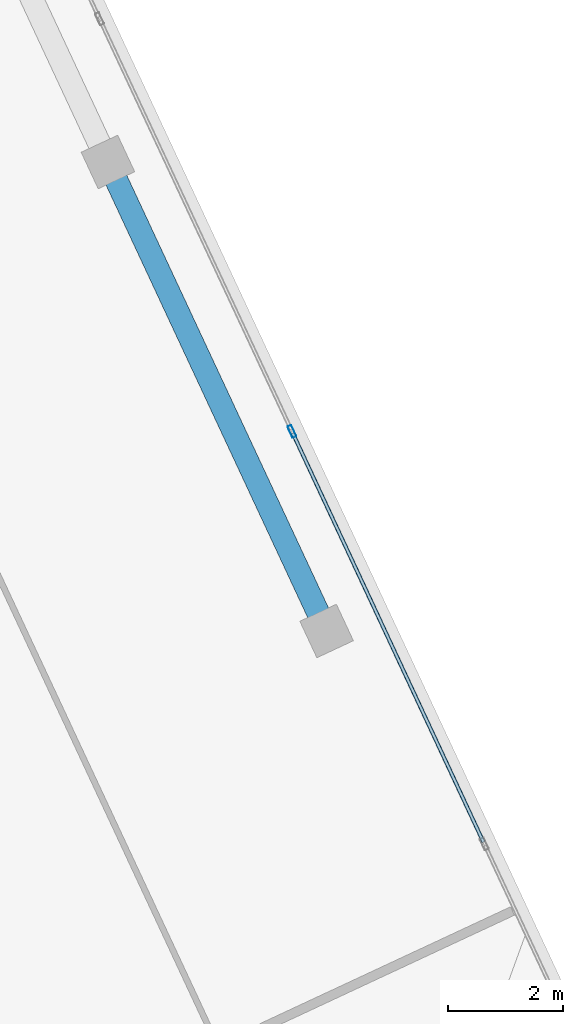
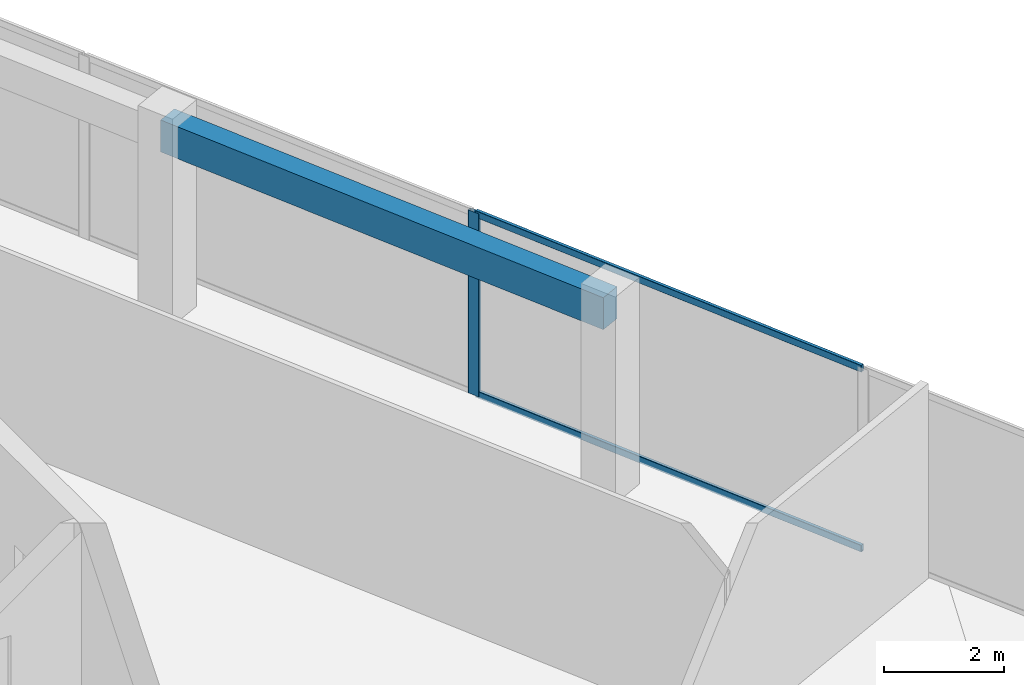
# One storey, part 8 of 17: 3 members, 1 beam, 1 element without a shape of its own.
"""IFC4 building model written with IfcOpenShell, lengths in metres."""

from ifc_helpers import new_model, si_unit, direction, frame, origin, origin_2d, place, context, subcontext, project, spatial, rectangle, hollow_rectangle, extrude, source, transform, mapped, material, material_profile, profile_set, type_object, element, aggregate, save


model = new_model("IFC4")

# Units and contexts
model_context = context("Model", 3, precision=1e-05, world=origin(), true_north=direction((0.0, 1.0)))
body_context = subcontext(model_context, "Body", "Model", "MODEL_VIEW")
ifc_project = project(units=[si_unit("LENGTHUNIT", "METRE"), si_unit("AREAUNIT", "SQUARE_METRE"), si_unit("VOLUMEUNIT", "CUBIC_METRE"), si_unit("PLANEANGLEUNIT", "RADIAN"), si_unit("MASSUNIT", "GRAM", prefix="KILO")], contexts=[model_context])

# Site, building, storey
site_placement = place(None, origin())
site = spatial("IfcSite", under=ifc_project, at=site_placement, CompositionType="ELEMENT")
building_placement = place(site_placement, origin())
building = spatial("IfcBuilding", under=site, at=building_placement, Name="Torre Montelarca", CompositionType="ELEMENT")
storey_placement = place(building_placement, frame((0.0, 0.0, 340.800048828125)))
storey = spatial("IfcBuildingStorey", under=building, at=storey_placement, Name="L77", CompositionType="ELEMENT", Elevation=340.800048828125)

# Beam
ifc_material_1 = material(Name="Concrete C40/50", Category="concrete")
ifc_material_profile_1 = material_profile(ifc_material_1, rectangle(XDim=0.39990234375, YDim=0.64990234375, at=origin_2d()), Name="RCB400X650", Category="concrete")
ifc_profile_set_1 = profile_set([ifc_material_profile_1], Name="Concrete C40/50")
beam_type = type_object("IfcBeamType", Name="BM-SP-RC650-EXT", PredefinedType="SPANDREL", material=ifc_profile_set_1)
shared_shape_1 = source(origin(), body_context, "Body", "SweptSolid", [
    extrude(rectangle(XDim=0.39990234375, YDim=0.64990234375, at=origin_2d()), origin(), (0.0, 0.0, 1.0), 9.0),
])
beam_placement = place(storey_placement, frame((33.75146484375, 41.57470703125, 3.635009765625), z_axis=(0.422610711302, -0.906311307826, 0.0), x_axis=(0.906311307826, 0.422610711302, 0.0)))
element("IfcBeam", 1, at=beam_placement, inside=storey, type_object=beam_type, Name="L77 Grid Girder X 18.0-27.0 at Y=47.1", PredefinedType="SPANDREL", context=body_context, shape_type="MappedRepresentation", body=[
    mapped(shared_shape_1, transform((0.0, 0.0, 0.0), scale=1.0)),
])

# Curtain wall, members
ifc_material_2 = material(Name="Insulated low-E laminated glass", Category="glass")
curtain_wall_type = type_object("IfcCurtainWallType", Name="CW-SYS-Z4", PredefinedType="USERDEFINED", material=ifc_material_2)
curtain_wall_placement = place(storey_placement, origin())
curtain_wall = element("IfcCurtainWall", 2, at=curtain_wall_placement, inside=storey, type_object=curtain_wall_type, Name="L77 Curtain Wall Run CW-T3-L77-E08-B1", ObjectType="UNITISED GLAZING", PredefinedType="USERDEFINED")
ifc_material_3 = material(Name="Anodised aluminium AA 6063-T6", Category="aluminium")
ifc_material_profile_2 = material_profile(ifc_material_3, hollow_rectangle(XDim=0.074951171875, YDim=0.219970703125, WallThickness=0.0048828125, InnerFilletRadius=0.0048828125, OuterFilletRadius=0.010009765625, at=origin_2d()), Name="ALU75X220X5", Category="aluminium")
ifc_profile_set_2 = profile_set([ifc_material_profile_2], Name="Anodised aluminium AA 6063-T6")
member_type_1 = type_object("IfcMemberType", Name="CWM-ALU220", PredefinedType="MULLION", material=ifc_profile_set_2)
shared_shape_2 = source(origin(), body_context, "Body", "SweptSolid", [
    extrude(hollow_rectangle(XDim=0.074951171875, YDim=0.219970703125, WallThickness=0.0048828125, InnerFilletRadius=0.0048828125, OuterFilletRadius=0.010009765625, at=origin_2d()), origin(), (0.0, 0.0, 1.0), 3.719970703125),
])
member_1_placement = place(storey_placement, frame((36.951904296875, 36.88818359375, 0.0), z_axis=(0.0, 0.0, 1.0), x_axis=(-0.906309431792, -0.422614734533, 0.0)))
member_1 = element("IfcMember", 3, at=member_1_placement, type_object=member_type_1, Name="CW mullion 3", PredefinedType="MULLION", context=body_context, shape_type="MappedRepresentation", body=[
    mapped(shared_shape_2, transform((0.0, 0.0, 0.0), scale=1.0)),
])
ifc_material_profile_3 = material_profile(ifc_material_3, hollow_rectangle(XDim=0.06494140625, YDim=0.139892578125, WallThickness=0.00390625, InnerFilletRadius=0.00390625, OuterFilletRadius=0.008056640625, at=origin_2d()), Name="ALU65X140X4", Category="aluminium")
ifc_profile_set_3 = profile_set([ifc_material_profile_3], Name="Anodised aluminium AA 6063-T6")
member_type_2 = type_object("IfcMemberType", Name="CWT-ALU140", PredefinedType="USERDEFINED", material=ifc_profile_set_3)
shared_shape_3 = source(origin(), body_context, "Body", "SweptSolid", [
    extrude(hollow_rectangle(XDim=0.06494140625, YDim=0.139892578125, WallThickness=0.00390625, InnerFilletRadius=0.00390625, OuterFilletRadius=0.008056640625, at=origin_2d()), origin(), (0.0, 0.0, 1.0), 7.842041015625),
])
member_2_placement = place(storey_placement, frame((40.281982421875, 29.746826171875, 0.032470703125), z_axis=(-0.422614463241, 0.906309558296, 0.0), x_axis=(-0.906309558296, -0.422614463241, 0.0)))
member_2 = element("IfcMember", 4, at=member_2_placement, type_object=member_type_2, Name="CW transom 2.1", ObjectType="TRANSOM", PredefinedType="USERDEFINED", context=body_context, shape_type="MappedRepresentation", body=[
    mapped(shared_shape_3, transform((0.0, 0.0, 0.0), scale=1.0)),
])
member_3_placement = place(storey_placement, frame((40.281982421875, 29.746826171875, 3.6875), z_axis=(-0.422614463241, 0.906309558296, 0.0), x_axis=(-0.906309558296, -0.422614463241, 0.0)))
member_3 = element("IfcMember", 5, at=member_3_placement, type_object=member_type_2, Name="CW transom 2.2", ObjectType="TRANSOM", PredefinedType="USERDEFINED", context=body_context, shape_type="MappedRepresentation", body=[
    mapped(shared_shape_3, transform((0.0, 0.0, 0.0), scale=1.0)),
])
aggregate(curtain_wall, [member_1, member_2, member_3])

save(model, "model.ifc")
